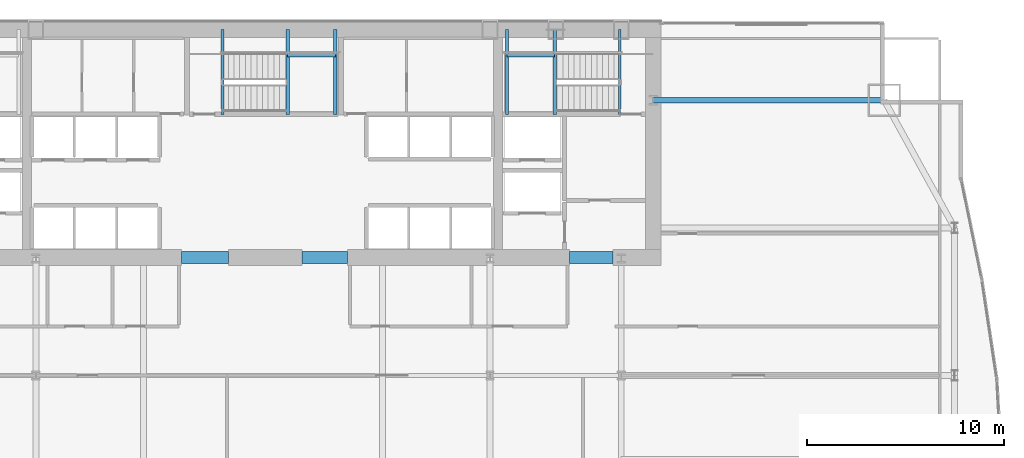
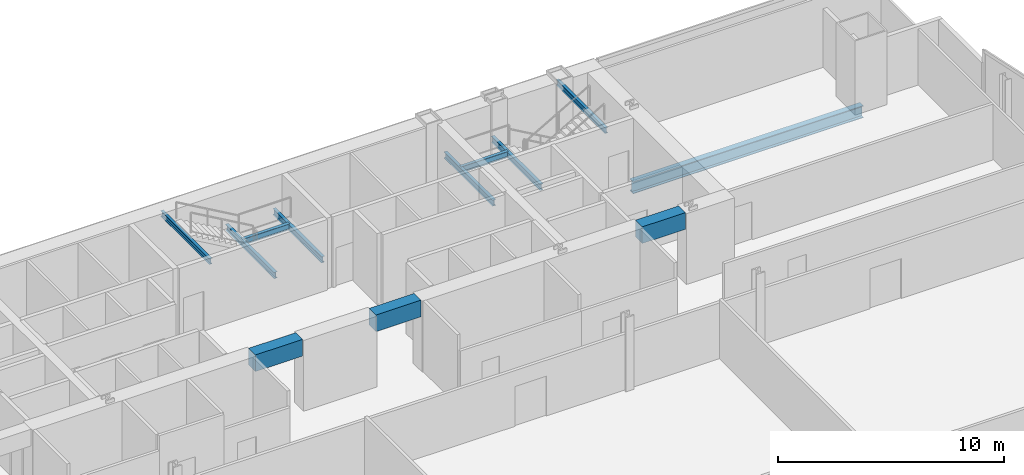
# One storey, part 19 of 36: 12 beams.
"""IFC4 building model written with IfcOpenShell, lengths in metres."""

from ifc_helpers import new_model, si_unit, direction, frame, origin, origin_2d, place, context, subcontext, project, spatial, rectangle, i_section, extrude, material, material_profile, profile_set, type_object, element, save


model = new_model("IFC4")

# Units and contexts
model_context = context("Model", 3, precision=1e-05, world=origin(), true_north=direction((0.0, 1.0)))
body_context = subcontext(model_context, "Body", "Model", "MODEL_VIEW")
ifc_project = project(units=[si_unit("LENGTHUNIT", "METRE"), si_unit("AREAUNIT", "SQUARE_METRE"), si_unit("VOLUMEUNIT", "CUBIC_METRE"), si_unit("PLANEANGLEUNIT", "RADIAN"), si_unit("MASSUNIT", "GRAM", prefix="KILO")], contexts=[model_context])

# Site, building, storey
site_placement = place(None, origin())
site = spatial("IfcSite", under=ifc_project, at=site_placement, CompositionType="ELEMENT")
building_placement = place(site_placement, origin())
building = spatial("IfcBuilding", under=site, at=building_placement, Name="Khoronbel Lancet Exchange", CompositionType="ELEMENT")
storey_placement = place(building_placement, frame((0.0, 0.0, 57.800048828125)))
storey = spatial("IfcBuildingStorey", under=building, at=storey_placement, Name="L13", CompositionType="ELEMENT", Elevation=57.800048828125)

# Beams
ifc_material_1 = material(Name="Steel S355", Category="steel")
ifc_material_profile_1 = material_profile(ifc_material_1, i_section(OverallWidth=0.159912109375, OverallDepth=0.330078125, WebThickness=0.007568359375, FlangeThickness=0.011474609375, at=origin_2d()), Name="IPE 330")
ifc_profile_set_1 = profile_set([ifc_material_profile_1], Name="Steel S355")
beam_type_1 = type_object("IfcBeamType", Name="BM-BJ7", PredefinedType="JOIST", material=ifc_profile_set_1)
for number, where, z_axis, x_axis, name in (
    (1, (51.2900390625, 48.97998046875, 1.635009765625), (0.0, 1.0, 0.0), (-1.0, 0.0, 0.0), "Level L13 stair ST2 landing bearer beam 1"),
    (2, (48.8701171875, 48.97998046875, 1.635009765625), (0.0, 1.0, 0.0), (-1.0, 0.0, 0.0), "Level L13 stair ST2 rear landing bearer beam 1"),
):
    element("IfcBeam", number, at=place(storey_placement, frame(where, z_axis=z_axis, x_axis=x_axis)), inside=storey, type_object=beam_type_1, Name=name, PredefinedType="JOIST", context=body_context, shape_type="SweptSolid", body=[
        extrude(i_section(OverallWidth=0.159912109375, OverallDepth=0.330078125, WebThickness=0.007568359375, FlangeThickness=0.011474609375, at=origin_2d()), origin(), (0.0, 0.0, 1.0), 4.320068359375),
    ])
beam_1_placement = place(storey_placement, frame((48.8701171875, 51.97998046875, 1.635009765625), z_axis=(1.0, 0.0, 0.0), x_axis=(0.0, 1.0, 0.0)))
element("IfcBeam", 3, at=beam_1_placement, inside=storey, type_object=beam_type_1, Name="Level L13 stair ST2 landing cross trimmer beam 1", PredefinedType="JOIST", context=body_context, shape_type="SweptSolid", body=[
    extrude(i_section(OverallWidth=0.159912109375, OverallDepth=0.330078125, WebThickness=0.007568359375, FlangeThickness=0.011474609375, at=origin_2d()), origin(), (0.0, 0.0, 1.0), 2.419921875),
])
for number, where, z_axis, x_axis, name in (
    (4, (37.7099609375, 48.97998046875, 1.635009765625), (0.0, 1.0, 0.0), (-1.0, 0.0, 0.0), "Level L13 stair ST3 landing bearer beam 1"),
    (5, (40.1298828125, 48.97998046875, 1.635009765625), (0.0, 1.0, 0.0), (-1.0, 0.0, 0.0), "Level L13 stair ST3 rear landing bearer beam 1"),
):
    element("IfcBeam", number, at=place(storey_placement, frame(where, z_axis=z_axis, x_axis=x_axis)), inside=storey, type_object=beam_type_1, Name=name, PredefinedType="JOIST", context=body_context, shape_type="SweptSolid", body=[
        extrude(i_section(OverallWidth=0.159912109375, OverallDepth=0.330078125, WebThickness=0.007568359375, FlangeThickness=0.011474609375, at=origin_2d()), origin(), (0.0, 0.0, 1.0), 4.320068359375),
    ])
beam_2_placement = place(storey_placement, frame((37.7099609375, 51.97998046875, 1.635009765625), z_axis=(1.0, 0.0, 0.0), x_axis=(0.0, 1.0, 0.0)))
element("IfcBeam", 6, at=beam_2_placement, inside=storey, type_object=beam_type_1, Name="Level L13 stair ST3 landing cross trimmer beam 1", PredefinedType="JOIST", context=body_context, shape_type="SweptSolid", body=[
    extrude(i_section(OverallWidth=0.159912109375, OverallDepth=0.330078125, WebThickness=0.007568359375, FlangeThickness=0.011474609375, at=origin_2d()), origin(), (0.0, 0.0, 1.0), 2.419921875),
])
ifc_material_profile_2 = material_profile(ifc_material_1, i_section(OverallWidth=0.14990234375, OverallDepth=0.300048828125, WebThickness=0.007080078125, FlangeThickness=0.0107421875, at=origin_2d()), Name="IPE 300")
ifc_profile_set_2 = profile_set([ifc_material_profile_2], Name="Steel S355")
beam_type_2 = type_object("IfcBeamType", Name="BM-BJ8", PredefinedType="JOIST", material=ifc_profile_set_2)
for number, where, z_axis, x_axis, name in (
    (7, (54.60009765625, 48.97998046875, 3.5400390625), (0.0, 1.0, 0.0), (-1.0, 0.0, 0.0), "Level L13 stair ST2 upper-flight arrival trimmer beam"),
    (8, (34.39990234375, 48.97998046875, 3.5400390625), (0.0, 1.0, 0.0), (-1.0, 0.0, 0.0), "Level L13 stair ST3 upper-flight arrival trimmer beam"),
):
    element("IfcBeam", number, at=place(storey_placement, frame(where, z_axis=z_axis, x_axis=x_axis)), inside=storey, type_object=beam_type_2, Name=name, PredefinedType="JOIST", context=body_context, shape_type="SweptSolid", body=[
        extrude(i_section(OverallWidth=0.14990234375, OverallDepth=0.300048828125, WebThickness=0.007080078125, FlangeThickness=0.0107421875, at=origin_2d()), origin(), (0.0, 0.0, 1.0), 4.320068359375),
    ])
ifc_material_2 = material(Name="Concrete C80/95", Category="concrete")
ifc_material_profile_3 = material_profile(ifc_material_2, rectangle(XDim=0.60009765625, YDim=0.89990234375, at=origin_2d()), Name="RC 600x900")
ifc_profile_set_3 = profile_set([ifc_material_profile_3], Name="Concrete C80/95")
beam_type_3 = type_object("IfcBeamType", Name="BM-BL1", PredefinedType="LINTEL", material=ifc_profile_set_3)
beam_3_placement = place(storey_placement, frame((32.300048828125, 41.699951171875, 3.369873046875), z_axis=(1.0, 0.0, 0.0), x_axis=(0.0, 1.0, 0.0)))
element("IfcBeam", 9, at=beam_3_placement, inside=storey, type_object=beam_type_3, Name="Level L13 rear core coupling lintel L2", PredefinedType="LINTEL", context=body_context, shape_type="SweptSolid", body=[
    extrude(rectangle(XDim=0.60009765625, YDim=0.89990234375, at=origin_2d()), origin(), (0.0, 0.0, 1.0), 2.39990234375),
])
beam_4_placement = place(storey_placement, frame((38.449951171875, 41.699951171875, 3.369873046875), z_axis=(1.0, 0.0, 0.0), x_axis=(0.0, 1.0, 0.0)))
element("IfcBeam", 10, at=beam_4_placement, inside=storey, type_object=beam_type_3, Name="Level L13 rear core coupling lintel L3", PredefinedType="LINTEL", context=body_context, shape_type="SweptSolid", body=[
    extrude(rectangle(XDim=0.60009765625, YDim=0.89990234375, at=origin_2d()), origin(), (0.0, 0.0, 1.0), 2.300048828125),
])
beam_5_placement = place(storey_placement, frame((52.050048828125, 41.699951171875, 3.369873046875), z_axis=(1.0, 0.0, 0.0), x_axis=(0.0, 1.0, 0.0)))
element("IfcBeam", 11, at=beam_5_placement, inside=storey, type_object=beam_type_3, Name="Level L13 rear core coupling lintel L4", PredefinedType="LINTEL", context=body_context, shape_type="SweptSolid", body=[
    extrude(rectangle(XDim=0.60009765625, YDim=0.89990234375, at=origin_2d()), origin(), (0.0, 0.0, 1.0), 2.199951171875),
])
ifc_material_profile_4 = material_profile(ifc_material_1, i_section(OverallWidth=0.300048828125, OverallDepth=0.64990234375, WebThickness=0.01611328125, FlangeThickness=0.031005859375, at=origin_2d()), Name="HEB 650")
ifc_profile_set_4 = profile_set([ifc_material_profile_4], Name="Steel S355")
beam_type_4 = type_object("IfcBeamType", Name="BM-BSP1", PredefinedType="SPANDREL", material=ifc_profile_set_4)
beam_6_placement = place(storey_placement, frame((68.050048828125, 49.699951171875, -0.505126953125), z_axis=(-1.0, 0.0, 0.0), x_axis=(0.0, -1.0, 0.0)))
element("IfcBeam", 12, at=beam_6_placement, inside=storey, type_object=beam_type_4, Name="Level L13 north flank tie spandrel SP23", PredefinedType="SPANDREL", context=body_context, shape_type="SweptSolid", body=[
    extrude(i_section(OverallWidth=0.300048828125, OverallDepth=0.64990234375, WebThickness=0.01611328125, FlangeThickness=0.031005859375, at=origin_2d()), origin(), (0.0, 0.0, 1.0), 11.75),
])

save(model, "model.ifc")
